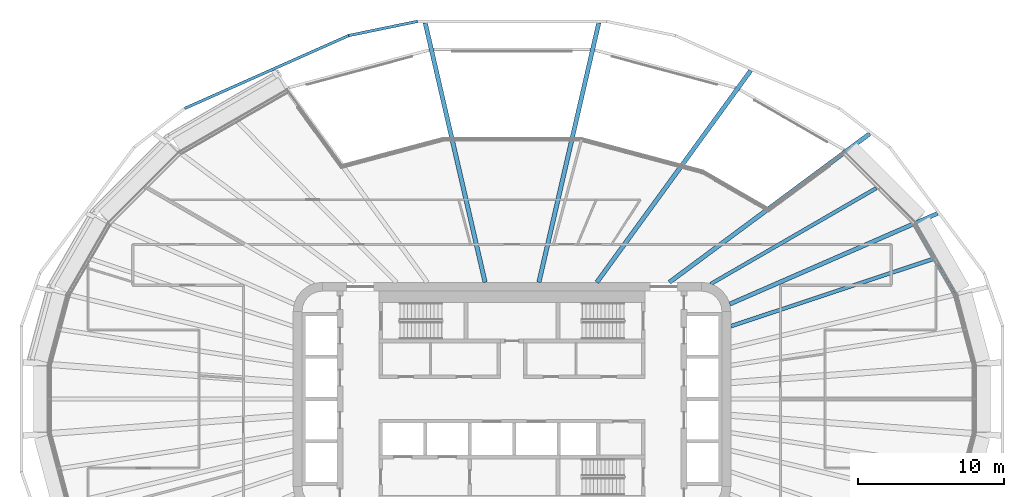
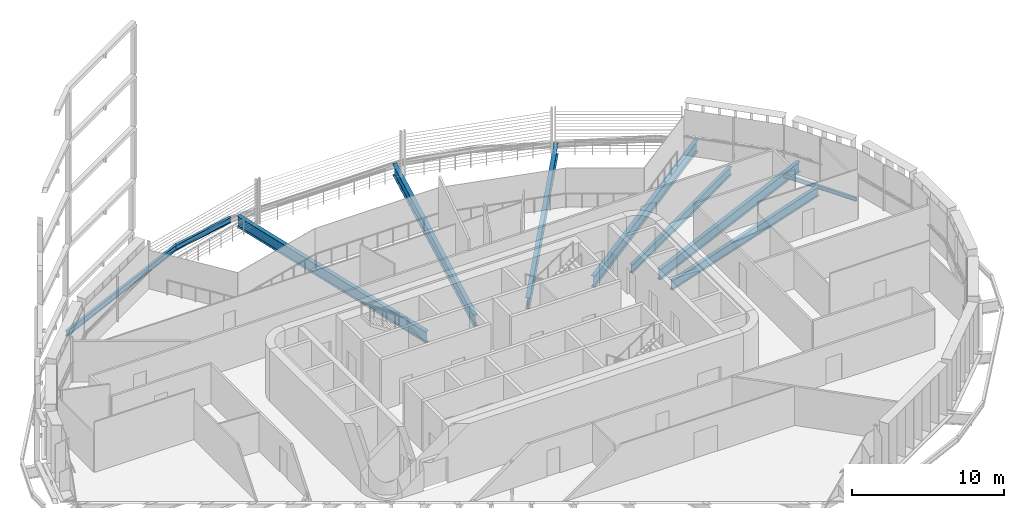
# One storey, part 8 of 25: 10 beams.
"""IFC4 building model written with IfcOpenShell, lengths in metres."""

from ifc_helpers import new_model, si_unit, direction, frame, origin, origin_2d, place, context, subcontext, project, spatial, i_section, extrude, material, material_profile, profile_set, type_object, element, save


model = new_model("IFC4")

# Units and contexts
model_context = context("Model", 3, precision=1e-05, world=origin(), true_north=direction((0.0, 1.0)))
body_context = subcontext(model_context, "Body", "Model", "MODEL_VIEW")
ifc_project = project(units=[si_unit("LENGTHUNIT", "METRE"), si_unit("AREAUNIT", "SQUARE_METRE"), si_unit("VOLUMEUNIT", "CUBIC_METRE"), si_unit("PLANEANGLEUNIT", "RADIAN"), si_unit("MASSUNIT", "GRAM", prefix="KILO")], contexts=[model_context])

# Site, building, storey
site_placement = place(None, origin())
site = spatial("IfcSite", under=ifc_project, at=site_placement, CompositionType="ELEMENT")
building_placement = place(site_placement, origin())
building = spatial("IfcBuilding", under=site, at=building_placement, Name="Sahrelin Media Tower", CompositionType="ELEMENT")
storey_placement = place(building_placement, frame((0.0, 0.0, 127.199951171875)))
storey = spatial("IfcBuildingStorey", under=building, at=storey_placement, Name="L25", CompositionType="ELEMENT", Elevation=127.199951171875)

# Beams
ifc_material = material(Name="Steel S355", Category="steel")
ifc_material_profile_1 = material_profile(ifc_material, i_section(OverallWidth=0.1650390625, OverallDepth=0.303466796875, WebThickness=0.006103515625, FlangeThickness=0.01025390625, FilletRadius=0.0087890625, at=origin_2d()), Name="UB 305x165x40")
ifc_profile_set_1 = profile_set([ifc_material_profile_1], Name="Steel S355")
beam_type_1 = type_object("IfcBeamType", Name="Edge beam EB2", PredefinedType="BEAM", material=ifc_profile_set_1)
beam_1_placement = place(storey_placement, frame((27.572021484375, 11.9677734375, -0.3017578125), z_axis=(0.500012514453, -0.866018178441, 0.0), x_axis=(0.866018178441, 0.500012514453, 0.0)))
element("IfcBeam", 1, at=beam_1_placement, inside=storey, type_object=beam_type_1, Name="Edge beam L25-19", PredefinedType="BEAM", context=body_context, shape_type="SweptSolid", body=[
    extrude(i_section(OverallWidth=0.1650390625, OverallDepth=0.303466796875, WebThickness=0.006103515625, FlangeThickness=0.01025390625, FilletRadius=0.0087890625, at=origin_2d()), origin(), (0.0, 0.0, 1.0), 5.585693359375),
])
ifc_material_profile_2 = material_profile(ifc_material, i_section(OverallWidth=0.291748046875, OverallDepth=0.8349609375, WebThickness=0.013916015625, FlangeThickness=0.018798828125, FilletRadius=0.017822265625, at=origin_2d()), Name="UB 838x292x176")
ifc_profile_set_2 = profile_set([ifc_material_profile_2], Name="Steel S355")
beam_type_2 = type_object("IfcBeamType", Name="Radial primary beam PB10", PredefinedType="BEAM", material=ifc_profile_set_2)
beam_2_placement = place(storey_placement, frame((14.9326171875, 6.51171875, -0.5673828125), z_axis=(0.91664061464, 0.399712376081, 0.0), x_axis=(-0.399712376081, 0.91664061464, 0.0)))
element("IfcBeam", 2, at=beam_2_placement, inside=storey, type_object=beam_type_2, Name="Radial beam L25-03", PredefinedType="BEAM", context=body_context, shape_type="SweptSolid", body=[
    extrude(i_section(OverallWidth=0.291748046875, OverallDepth=0.8349609375, WebThickness=0.013916015625, FlangeThickness=0.018798828125, FilletRadius=0.017822265625, at=origin_2d()), origin(), (0.0, 0.0, 1.0), 15.537841796875),
])
ifc_material_profile_3 = material_profile(ifc_material, i_section(OverallWidth=0.30322265625, OverallDepth=0.903076171875, WebThickness=0.01513671875, FlangeThickness=0.020263671875, FilletRadius=0.01904296875, at=origin_2d()), Name="UB 914x305x201")
ifc_profile_set_3 = profile_set([ifc_material_profile_3], Name="Steel S355")
beam_type_3 = type_object("IfcBeamType", Name="Radial primary beam PB11", PredefinedType="BEAM", material=ifc_profile_set_3)
beam_3_placement = place(storey_placement, frame((10.787109375, 8.0, -0.6015625), z_axis=(0.803218064417, 0.595685102209, 0.0), x_axis=(-0.595685102209, 0.803218064417, 0.0)))
element("IfcBeam", 3, at=beam_3_placement, inside=storey, type_object=beam_type_3, Name="Radial beam L25-04", PredefinedType="BEAM", context=body_context, shape_type="SweptSolid", body=[
    extrude(i_section(OverallWidth=0.30322265625, OverallDepth=0.903076171875, WebThickness=0.01513671875, FlangeThickness=0.020263671875, FilletRadius=0.01904296875, at=origin_2d()), origin(), (0.0, 0.0, 1.0), 17.1083984375),
])
beam_4_placement = place(storey_placement, frame((5.81396484375, 8.0, -0.6015625), z_axis=(0.587892585931, 0.808939001042, 0.0), x_axis=(-0.808939001042, 0.587892585931, 0.0)))
element("IfcBeam", 4, at=beam_4_placement, inside=storey, type_object=beam_type_3, Name="Radial beam L25-05", PredefinedType="BEAM", context=body_context, shape_type="SweptSolid", body=[
    extrude(i_section(OverallWidth=0.30322265625, OverallDepth=0.903076171875, WebThickness=0.01513671875, FlangeThickness=0.020263671875, FilletRadius=0.01904296875, at=origin_2d()), origin(), (0.0, 0.0, 1.0), 17.945556640625),
])
for number, where, z_axis, x_axis, name in (
    (5, (1.845703125, 8.0, -0.6015625), (0.224828260072, 0.974398405927, 0.0), (-0.974398405927, 0.224828260072, 0.0), "Radial beam L25-06"),
    (6, (-1.845703125, 8.0, -0.6015625), (-0.224828260072, 0.974398405927, 0.0), (-0.974398405927, -0.224828260072, 0.0), "Radial beam L25-07"),
):
    element("IfcBeam", number, at=place(storey_placement, frame(where, z_axis=z_axis, x_axis=x_axis)), inside=storey, type_object=beam_type_3, Name=name, PredefinedType="BEAM", context=body_context, shape_type="SweptSolid", body=[
        extrude(i_section(OverallWidth=0.30322265625, OverallDepth=0.903076171875, WebThickness=0.01513671875, FlangeThickness=0.020263671875, FilletRadius=0.01904296875, at=origin_2d()), origin(), (0.0, 0.0, 1.0), 18.260498046875),
    ])
ifc_material_profile_4 = material_profile(ifc_material, i_section(OverallWidth=0.2529296875, OverallDepth=0.677978515625, WebThickness=0.01171875, FlangeThickness=0.01611328125, FilletRadius=0.01513671875, at=origin_2d()), Name="UB 686x254x125")
ifc_profile_set_4 = profile_set([ifc_material_profile_4], Name="Steel S355")
beam_type_4 = type_object("IfcBeamType", Name="Radial secondary beam SB8", PredefinedType="BEAM", material=ifc_profile_set_4)
beam_5_placement = place(storey_placement, frame((13.626708984375, 7.88671875, -0.48876953125), z_axis=(0.86549046437, 0.50092539972, 0.0), x_axis=(-0.50092539972, 0.86549046437, 0.0)))
element("IfcBeam", 7, at=beam_5_placement, inside=storey, type_object=beam_type_4, Name="Secondary beam L25-03", PredefinedType="BEAM", context=body_context, shape_type="SweptSolid", body=[
    extrude(i_section(OverallWidth=0.2529296875, OverallDepth=0.677978515625, WebThickness=0.01171875, FlangeThickness=0.01611328125, FilletRadius=0.01513671875, at=origin_2d()), origin(), (0.0, 0.0, 1.0), 13.107666015625),
])
ifc_material_profile_5 = material_profile(ifc_material, i_section(OverallWidth=0.26513671875, OverallDepth=0.75390625, WebThickness=0.0126953125, FlangeThickness=0.017578125, FilletRadius=0.0166015625, at=origin_2d()), Name="UB 762x267x147")
ifc_profile_set_5 = profile_set([ifc_material_profile_5], Name="Steel S355")
beam_type_5 = type_object("IfcBeamType", Name="Radial secondary beam SB9", PredefinedType="BEAM", material=ifc_profile_set_5)
beam_6_placement = place(storey_placement, frame((15.0, 4.989013671875, -0.52685546875), z_axis=(0.948892219303, 0.315600310752, 0.0), x_axis=(-0.315600310752, 0.948892219303, 0.0)))
element("IfcBeam", 8, at=beam_6_placement, inside=storey, type_object=beam_type_5, Name="Secondary beam L25-02", PredefinedType="BEAM", context=body_context, shape_type="SweptSolid", body=[
    extrude(i_section(OverallWidth=0.26513671875, OverallDepth=0.75390625, WebThickness=0.0126953125, FlangeThickness=0.017578125, FilletRadius=0.0166015625, at=origin_2d()), origin(), (0.0, 0.0, 1.0), 14.5927734375),
])
ifc_material_profile_6 = material_profile(ifc_material, i_section(OverallWidth=0.1904296875, OverallDepth=0.45703125, WebThickness=0.009033203125, FlangeThickness=0.014404296875, FilletRadius=0.01025390625, at=origin_2d()), Name="UB 457x191x74")
ifc_profile_set_6 = profile_set([ifc_material_profile_6], Name="Steel S355")
beam_type_6 = type_object("IfcBeamType", Name="Tie chord TC5", PredefinedType="BEAM", material=ifc_profile_set_6)
beam_7_placement = place(storey_placement, frame((-6.486083984375, 25.88818359375, -0.37841796875), z_axis=(-0.979388624661, -0.201984954599, 0.0), x_axis=(0.201984954599, -0.979388624661, 0.0)))
element("IfcBeam", 9, at=beam_7_placement, inside=storey, type_object=beam_type_6, Name="Tie chord L25-07", PredefinedType="BEAM", context=body_context, shape_type="SweptSolid", body=[
    extrude(i_section(OverallWidth=0.1904296875, OverallDepth=0.45703125, WebThickness=0.009033203125, FlangeThickness=0.014404296875, FilletRadius=0.01025390625, at=origin_2d()), origin(), (0.0, 0.0, 1.0), 4.81298828125),
])
beam_8_placement = place(storey_placement, frame((-11.199951171875, 24.916015625, -0.37841796875), z_axis=(-0.913827107838, -0.406103456007, 0.0), x_axis=(0.406103456007, -0.913827107838, 0.0)))
element("IfcBeam", 10, at=beam_8_placement, inside=storey, type_object=beam_type_6, Name="Tie chord L25-08", PredefinedType="BEAM", context=body_context, shape_type="SweptSolid", body=[
    extrude(i_section(OverallWidth=0.1904296875, OverallDepth=0.45703125, WebThickness=0.009033203125, FlangeThickness=0.014404296875, FilletRadius=0.01025390625, at=origin_2d()), origin(), (0.0, 0.0, 1.0), 12.29345703125),
])

save(model, "model.ifc")
